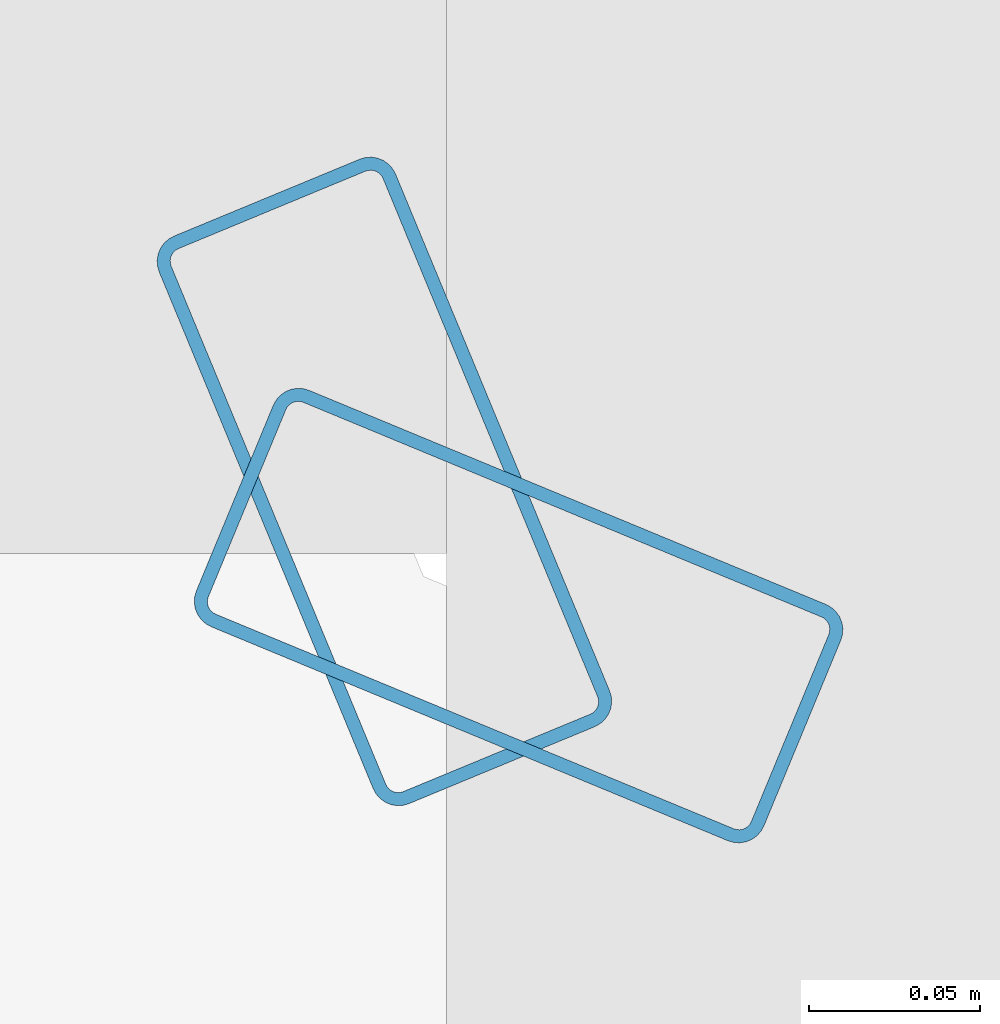
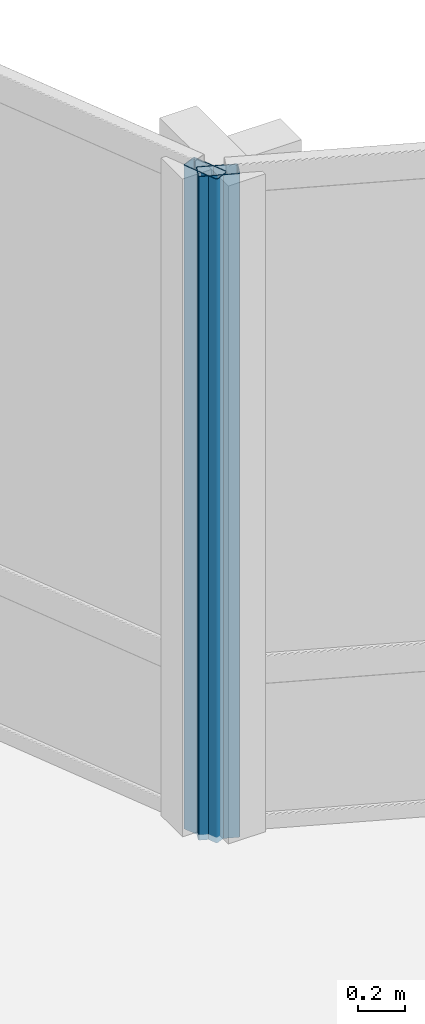
# One storey, part 8 of 29: 2 members, 2 elements without a shape of their own.
"""IFC4 building model written with IfcOpenShell, lengths in metres."""

from ifc_helpers import new_model, si_unit, direction, frame, origin, origin_2d, place, context, subcontext, project, spatial, hollow_rectangle, extrude, material, layer, layer_set, material_profile, profile_set, type_object, element, aggregate, save


model = new_model("IFC4")

# Units and contexts
model_context = context("Model", 3, precision=1e-05, world=origin(), true_north=direction((0.0, 1.0)))
body_context = subcontext(model_context, "Body", "Model", "MODEL_VIEW")
ifc_project = project(units=[si_unit("LENGTHUNIT", "METRE"), si_unit("AREAUNIT", "SQUARE_METRE"), si_unit("VOLUMEUNIT", "CUBIC_METRE"), si_unit("PLANEANGLEUNIT", "RADIAN"), si_unit("MASSUNIT", "GRAM", prefix="KILO")], contexts=[model_context])

# Site, building, storey
site_placement = place(None, origin())
site = spatial("IfcSite", under=ifc_project, at=site_placement, CompositionType="ELEMENT")
building_placement = place(site_placement, origin())
building = spatial("IfcBuilding", under=site, at=building_placement, Name="Solvaryn Broadcast Tower", CompositionType="ELEMENT")
storey_placement = place(building_placement, frame((0.0, 0.0, 161.800048828125)))
storey = spatial("IfcBuildingStorey", under=building, at=storey_placement, Name="L40", CompositionType="ELEMENT", Elevation=161.800048828125)

# Curtain wall, member
ifc_material_1 = material(Name="Aluminium and Terracotta Unitised Curtain Wall", Category="masonry")
ifc_layer = layer(ifc_material_1, 0.199951171875)
ifc_layer_set = layer_set([ifc_layer], Name="CW-SYS2-LOWMID")
curtain_wall_type = type_object("IfcCurtainWallType", Name="CW-SYS2-LOWMID", PredefinedType="NOTDEFINED", material=ifc_layer_set)
curtain_wall_1_placement = place(storey_placement, origin())
curtain_wall_1 = element("IfcCurtainWall", 1, at=curtain_wall_1_placement, inside=storey, type_object=curtain_wall_type, Name="L40 Curtain Wall CN1", PredefinedType="NOTDEFINED")
ifc_material_2 = material(Name="Anodised Aluminium 6063-T6", Category="aluminium")
ifc_material_profile = material_profile(ifc_material_2, hollow_rectangle(XDim=0.074951171875, YDim=0.179931640625, WallThickness=0.00390625, InnerFilletRadius=0.00390625, OuterFilletRadius=0.008056640625, at=origin_2d()))
ifc_profile_set = profile_set([ifc_material_profile], Name="Anodised Aluminium 6063-T6")
member_type = type_object("IfcMemberType", Name="CW-MUL-180", PredefinedType="MULLION", material=ifc_profile_set)
member_1_placement = place(storey_placement, frame((30.395751953125, 30.3564453125, 0.0), z_axis=(0.0, 0.0, 1.0), x_axis=(-0.382646127145, -0.923894983957, 0.0)))
member_1 = element("IfcMember", 2, at=member_1_placement, type_object=member_type, Name="CWS2 mullion 2", PredefinedType="MULLION", context=body_context, shape_type="SweptSolid", body=[
    extrude(hollow_rectangle(XDim=0.074951171875, YDim=0.179931640625, WallThickness=0.00390625, InnerFilletRadius=0.00390625, OuterFilletRadius=0.008056640625, at=origin_2d()), origin(), (0.0, 0.0, 1.0), 3.419921875),
])
aggregate(curtain_wall_1, [member_1])

curtain_wall_2_placement = place(storey_placement, origin())
curtain_wall_2 = element("IfcCurtainWall", 3, at=curtain_wall_2_placement, inside=storey, type_object=curtain_wall_type, Name="L40 Curtain Wall CN2", PredefinedType="NOTDEFINED")
member_2_placement = place(storey_placement, frame((30.3564453125, 30.395751953125, 0.0), z_axis=(0.0, 0.0, 1.0), x_axis=(-0.923894983957, -0.382646127145, 0.0)))
member_2 = element("IfcMember", 4, at=member_2_placement, type_object=member_type, Name="CWS2 mullion 1", PredefinedType="MULLION", context=body_context, shape_type="SweptSolid", body=[
    extrude(hollow_rectangle(XDim=0.074951171875, YDim=0.179931640625, WallThickness=0.00390625, InnerFilletRadius=0.00390625, OuterFilletRadius=0.008056640625, at=origin_2d()), origin(), (0.0, 0.0, 1.0), 3.419921875),
])
aggregate(curtain_wall_2, [member_2])

save(model, "model.ifc")
